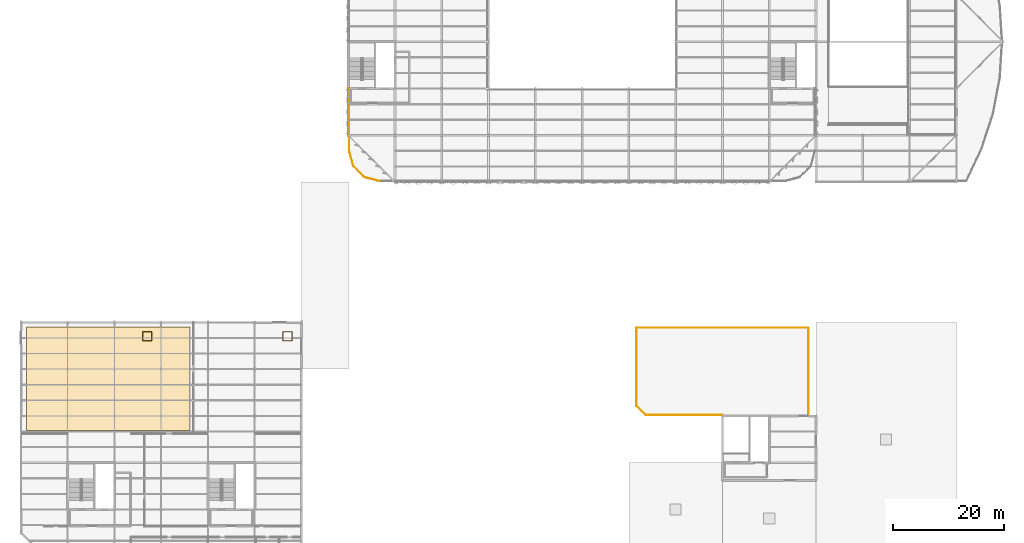
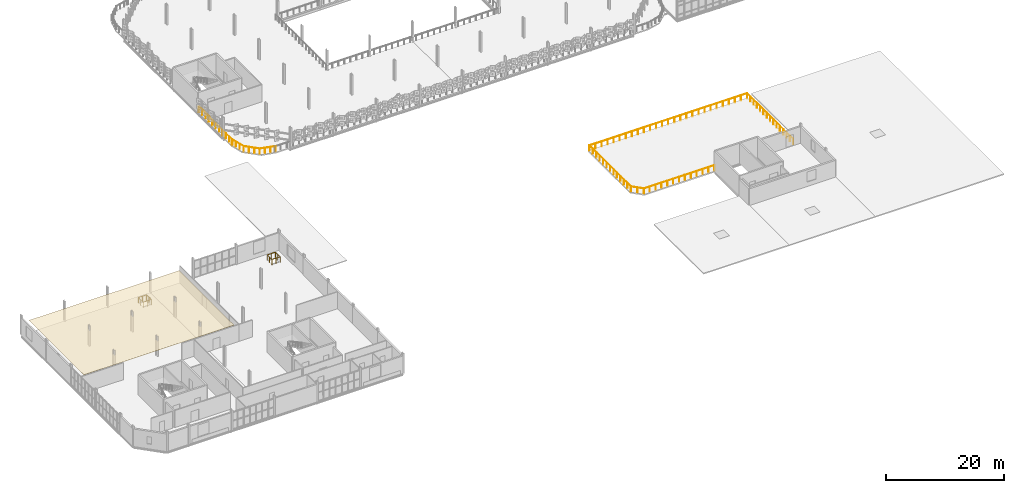
# One storey, part 64 of 69: 5 railings, 1 covering.
"""IFC4 building model written with IfcOpenShell, lengths in metres."""

import ifcopenshell
import ifcopenshell.guid

model = None  # the IFC model being written
_history = None  # IfcOwnerHistory: only IFC2X3 demands one
_inside = {}  # id of a spatial element -> (the spatial element, [elements in it])
_under = {}  # id of a project, library or spatial element -> (it, [spatial elements below it])
_declared = {}  # id of a project -> (the project, [libraries it declares])
_typed = {}  # id of a type object -> (the type object, [elements of that type])
_made_of = {}  # id of a material, layer set ... -> (it, [elements and type objects made of it])


def new_model(schema):
    """Start an empty IFC model of exactly this schema.

    Asked for "IFC4X3", IfcOpenShell would pick the latest addendum, in which some entities
    have other attributes; the version numbers below select the first issue.
    IFC2X3 requires an IfcOwnerHistory on every rooted entity: one is made here for all.
    """
    global model, _history
    if schema == "IFC4X3":
        model = ifcopenshell.file(schema_version=(4, 3, 0, 0))
    else:
        model = ifcopenshell.file(schema=schema)
    _inside.clear()
    _under.clear()
    _declared.clear()
    _typed.clear()
    _made_of.clear()
    _history = None
    if model.schema == "IFC2X3":
        org = make("IfcOrganization", Name="unknown")
        user = make(
            "IfcPersonAndOrganization",
            ThePerson=make("IfcPerson", FamilyName="unknown"),
            TheOrganization=org,
        )
        app = make(
            "IfcApplication",
            ApplicationDeveloper=org,
            Version="unknown",
            ApplicationFullName="unknown",
            ApplicationIdentifier="unknown",
        )
        _history = make(
            "IfcOwnerHistory",
            OwningUser=user,
            OwningApplication=app,
            ChangeAction="ADDED",
            CreationDate=0,
        )
    return model


def make(cls, **values):
    """One entity of the class cls with the attributes given. An attribute that is None is left unset."""
    return model.create_entity(
        cls, **{name: value for name, value in values.items() if value is not None}
    )


def rooted(cls, **values):
    """An entity with a GlobalId (a new one), such as an element, a storey or a relation."""
    return make(cls, GlobalId=ifcopenshell.guid.new(), OwnerHistory=_history, **values)


def si_unit(unit_type, name, prefix=None):
    """IfcSIUnit, for example si_unit("LENGTHUNIT", "METRE", prefix="MILLI")."""
    return make("IfcSIUnit", UnitType=unit_type, Prefix=prefix, Name=name)


def assignment(units):
    """IfcUnitAssignment: the units of a project."""
    return None if units is None else make("IfcUnitAssignment", Units=units)


def point(xyz):
    """IfcCartesianPoint."""
    return None if xyz is None else make("IfcCartesianPoint", Coordinates=xyz)


def direction(xyz):
    """IfcDirection."""
    return None if xyz is None else make("IfcDirection", DirectionRatios=xyz)


def frame(location, z_axis=None, x_axis=None):
    """IfcAxis2Placement3D, a coordinate frame: its origin and axes. An axis left out is left unset."""
    return make(
        "IfcAxis2Placement3D",
        Location=point(location),
        Axis=direction(z_axis),
        RefDirection=direction(x_axis),
    )


def frame_2d(location, x_axis=None):
    """IfcAxis2Placement2D, a coordinate frame in the plane: its origin and x axis."""
    return make(
        "IfcAxis2Placement2D", Location=point(location), RefDirection=direction(x_axis)
    )


def origin():
    """The frame at (0, 0, 0) with its axes left unset."""
    return frame((0.0, 0.0, 0.0))


def origin_2d():
    """The frame at (0, 0) in the plane with its x axis left unset."""
    return frame_2d((0.0, 0.0))


def place(relative_to, where):
    """IfcLocalPlacement: puts the frame where relative to a parent placement (None: the world)."""
    return make(
        "IfcLocalPlacement", PlacementRelTo=relative_to, RelativePlacement=where
    )


def context(
    kind, dimensions, precision=None, world=None, true_north=None, identifier=None
):
    """IfcGeometricRepresentationContext, for example the 3D "Model" context."""
    return make(
        "IfcGeometricRepresentationContext",
        ContextIdentifier=identifier,
        ContextType=kind,
        CoordinateSpaceDimension=dimensions,
        Precision=precision,
        WorldCoordinateSystem=world,
        TrueNorth=true_north,
    )


def subcontext(parent, identifier, kind, view, scale=None):
    """IfcGeometricRepresentationSubContext, for example "Body" below "Model"."""
    return make(
        "IfcGeometricRepresentationSubContext",
        ContextIdentifier=identifier,
        ContextType=kind,
        ParentContext=parent,
        TargetScale=scale,
        TargetView=view,
    )


def project(units=None, contexts=None):
    """IfcProject with its units and contexts."""
    return rooted(
        "IfcProject",
        Name="project",
        RepresentationContexts=contexts,
        UnitsInContext=assignment(units),
    )


def spatial(cls, under=None, at=None, **own):
    """A site, building, storey or space (cls), placed at a placement, below another one or the project."""
    s = rooted(cls, ObjectPlacement=at, **own)
    if under is not None:
        _under.setdefault(under.id(), (under, []))[1].append(s)
    return s


def polyline(points):
    """IfcPolyline through the points."""
    return make("IfcPolyline", Points=[point(p) for p in points])


def profile(cls, at=None, kind="AREA", **sizes):
    """A parametric profile (cls). Its sizes go by their IFC names, for example OverallWidth=200.0."""
    return make(cls, ProfileType=kind, Position=at, **sizes)


def circle(**sizes):
    """IfcCircleProfileDef."""
    return profile("IfcCircleProfileDef", **sizes)


def outline(outer, holes=None, kind="AREA"):
    """IfcArbitraryClosedProfileDef: a profile drawn as a closed curve; with holes, ...WithVoids."""
    if holes is None:
        return make("IfcArbitraryClosedProfileDef", ProfileType=kind, OuterCurve=outer)
    return make(
        "IfcArbitraryProfileDefWithVoids",
        ProfileType=kind,
        OuterCurve=outer,
        InnerCurves=holes,
    )


def extrude(swept, where, along, depth):
    """IfcExtrudedAreaSolid: the profile swept, set in the frame where, extruded along a direction by depth."""
    return make(
        "IfcExtrudedAreaSolid",
        SweptArea=swept,
        Position=where,
        ExtrudedDirection=direction(along),
        Depth=depth,
    )


def shape(context_of_items, identifier, shape_type, items):
    """IfcShapeRepresentation: the items that make up one representation, for example the "Body"."""
    return make(
        "IfcShapeRepresentation",
        ContextOfItems=context_of_items,
        RepresentationIdentifier=identifier,
        RepresentationType=shape_type,
        Items=items,
    )


def material(Name=None, Category=None):
    """IfcMaterial."""
    return make("IfcMaterial", Name=Name, Category=Category)


def layer(
    of_material, thickness, ventilated=None, Name=None, Category=None, Priority=None
):
    """IfcMaterialLayer: one layer of a wall or slab, of a material (None: an air gap)."""
    return make(
        "IfcMaterialLayer",
        Material=of_material,
        LayerThickness=thickness,
        IsVentilated=ventilated,
        Name=Name,
        Category=Category,
        Priority=Priority,
    )


def layer_set(layers, Name=None):
    """IfcMaterialLayerSet."""
    return make("IfcMaterialLayerSet", MaterialLayers=layers, LayerSetName=Name)


def made_of(thing, what):
    """Note that an element or type object is made of a material, layer set ...; save() writes the relation."""
    if what is not None:
        _made_of.setdefault(what.id(), (what, []))[1].append(thing)
    return thing


def type_object(cls, material=None, **own):
    """A type object (cls), such as IfcWallType, which elements share."""
    return made_of(rooted(cls, **own), material)


def element(
    cls,
    number,
    at=None,
    inside=None,
    cuts=None,
    type_object=None,
    material=None,
    context=None,
    identifier="Body",
    shape_type=None,
    held_by="IfcProductDefinitionShape",
    body=None,
    shapes=None,
    **own,
):
    """One element of the class cls, such as IfcWall. Its Tag is "e" and its number.

    at: its placement. inside: the storey or other place that contains it. cuts: it is an
    opening in that element (IfcRelVoidsElement). A single representation is given by context,
    identifier, shape_type and body (its items); several are given by shapes. held_by: the class
    of the entity that holds the representations. save() writes the other relations.
    """
    e = rooted(cls, Tag="e%d" % number, ObjectPlacement=at, **own)
    if body is not None:
        shapes = [shape(context, identifier, shape_type, body)]
    if shapes is not None:
        e.Representation = make(held_by, Representations=shapes)
    if inside is not None:
        _inside.setdefault(inside.id(), (inside, []))[1].append(e)
    if cuts is not None:
        rooted(
            "IfcRelVoidsElement", RelatingBuildingElement=cuts, RelatedOpeningElement=e
        )
    if type_object is not None:
        _typed.setdefault(type_object.id(), (type_object, []))[1].append(e)
    return made_of(e, material)


def aggregate(whole, parts):
    """IfcRelAggregates: a whole, such as a stair, and the parts it consists of."""
    return rooted("IfcRelAggregates", RelatingObject=whole, RelatedObjects=parts)


def save(model, path):
    """Write the relations noted so far, then the file.

    IfcRelAggregates (storeys below a building ...), IfcRelContainedInSpatialStructure (elements
    in a storey), IfcRelDefinesByType, IfcRelAssociatesMaterial and IfcRelDeclares: one each for
    every whole, place, type object, material and project.
    """
    for whole, parts in _under.values():
        aggregate(whole, parts)
    for where, things in _inside.values():
        rooted(
            "IfcRelContainedInSpatialStructure",
            RelatedElements=things,
            RelatingStructure=where,
        )
    for kind, things in _typed.values():
        rooted("IfcRelDefinesByType", RelatedObjects=things, RelatingType=kind)
    for what, things in _made_of.values():
        rooted("IfcRelAssociatesMaterial", RelatedObjects=things, RelatingMaterial=what)
    for by, libraries in _declared.values():
        rooted("IfcRelDeclares", RelatingContext=by, RelatedDefinitions=libraries)
    model.write(path)


model = new_model("IFC4")

# Units and contexts
model_context = context("Model", 3, precision=1e-05, world=origin(), true_north=direction((0.0, 1.0)))
body_context = subcontext(model_context, "Body", "Model", "MODEL_VIEW")
ifc_project = project(units=[si_unit("LENGTHUNIT", "METRE"), si_unit("AREAUNIT", "SQUARE_METRE"), si_unit("VOLUMEUNIT", "CUBIC_METRE"), si_unit("PLANEANGLEUNIT", "RADIAN"), si_unit("MASSUNIT", "GRAM", prefix="KILO")], contexts=[model_context])

# Site, building, storey
site_placement = place(None, origin())
site = spatial("IfcSite", under=ifc_project, at=site_placement, CompositionType="ELEMENT")
building_placement = place(site_placement, origin())
building = spatial("IfcBuilding", under=site, at=building_placement, Name="Qalvenar Corner Mobility Hub", CompositionType="ELEMENT")
storey_placement = place(building_placement, frame((0.0, 0.0, 13.199951171875)))
storey = spatial("IfcBuildingStorey", under=building, at=storey_placement, Name="L03", CompositionType="ELEMENT", Elevation=13.199951171875)

# Covering
ifc_material_1 = material(Name="Perforated Acoustic Mineral Ceiling Board", Category="concrete")
ifc_layer = layer(ifc_material_1, 0.02490234375)
ifc_layer_set = layer_set([ifc_layer], Name="Perforated Acoustic Mineral Ceiling Board")
covering_type = type_object("IfcCoveringType", Name="COV-CEIL-AC", PredefinedType="CEILING", material=ifc_layer_set)
covering_placement = place(storey_placement, frame((0.0, 0.0, 3.150146484375)))
element("IfcCovering", 1, at=covering_placement, inside=storey, type_object=covering_type, Name="Traffic Control Room Acoustic Ceiling", PredefinedType="CEILING", context=body_context, shape_type="SweptSolid", body=[
    extrude(outline(polyline([(1.0, 22.60009765625), (30.39990234375, 22.60009765625), (30.39990234375, 41.199951171875), (1.0, 41.199951171875), (1.0, 22.60009765625)])), origin(), (0.0, 0.0, 1.0), 0.02490234375),
])

# Railings
ifc_material_2 = material(Name="Art Nouveau Bronze-Finished Steel Balustrade", Category="steel")
railing_type_1 = type_object("IfcRailingType", Name="RL-GUARD-110", PredefinedType="GUARDRAIL", material=ifc_material_2)
railing_1_placement = place(storey_placement, frame((126.0, 25.3798828125, 0.0)))
element("IfcRailing", 2, at=railing_1_placement, inside=storey, type_object=railing_type_1, Name="Terrace Perimeter Guardrail TER-V6-L03", PredefinedType="GUARDRAIL", context=body_context, shape_type="SweptSolid", body=[
    extrude(circle(Radius=0.02392578125, at=origin_2d()), frame((0.0, 0.0, 1.09619140625), z_axis=(-1.0, 0.0, 0.0), x_axis=(0.0, -1.0, 0.0)), (0.0, 0.0, 1.0), 13.800048828125),
    extrude(circle(Radius=0.02392578125, at=origin_2d()), frame((-13.800048828125, 0.0, 1.09619140625), z_axis=(-0.707053497077, 0.707160061281, 0.0), x_axis=(-0.707160061281, -0.707053497077, 0.0)), (0.0, 0.0, 1.0), 2.291015625),
    extrude(circle(Radius=0.02392578125, at=origin_2d()), frame((-15.419921875, 1.6201171875, 1.09619140625), z_axis=(0.0, 1.0, 0.0), x_axis=(-1.0, 0.0, 0.0)), (0.0, 0.0, 1.0), 14.02001953125),
    extrude(circle(Radius=0.02392578125, at=origin_2d()), frame((-15.419921875, 15.64013671875, 1.09619140625), z_axis=(1.0, 0.0, 0.0), x_axis=(0.0, 1.0, 0.0)), (0.0, 0.0, 1.0), 30.83984375),
    extrude(circle(Radius=0.02392578125, at=origin_2d()), frame((15.419921875, 15.64013671875, 1.09619140625), z_axis=(0.0, -1.0, 0.0), x_axis=(1.0, 0.0, 0.0)), (0.0, 0.0, 1.0), 15.64013671875),
    extrude(circle(Radius=0.02099609375, at=origin_2d()), origin(), (0.0, 0.0, 1.0), 1.072021484375),
    extrude(circle(Radius=0.02099609375, at=origin_2d()), frame((-1.14990234375, 0.0, 0.0)), (0.0, 0.0, 1.0), 1.072021484375),
    extrude(circle(Radius=0.02099609375, at=origin_2d()), frame((-2.300048828125, 0.0, 0.0)), (0.0, 0.0, 1.0), 1.072021484375),
    extrude(circle(Radius=0.02099609375, at=origin_2d()), frame((-3.449951171875, 0.0, 0.0)), (0.0, 0.0, 1.0), 1.072021484375),
    extrude(circle(Radius=0.02099609375, at=origin_2d()), frame((-4.60009765625, 0.0, 0.0)), (0.0, 0.0, 1.0), 1.072021484375),
    extrude(circle(Radius=0.02099609375, at=origin_2d()), frame((-5.75, 0.0, 0.0)), (0.0, 0.0, 1.0), 1.072021484375),
    extrude(circle(Radius=0.02099609375, at=origin_2d()), frame((-6.89990234375, 0.0, 0.0)), (0.0, 0.0, 1.0), 1.072021484375),
    extrude(circle(Radius=0.02099609375, at=origin_2d()), frame((-8.050048828125, 0.0, 0.0)), (0.0, 0.0, 1.0), 1.072021484375),
    extrude(circle(Radius=0.02099609375, at=origin_2d()), frame((-9.199951171875, 0.0, 0.0)), (0.0, 0.0, 1.0), 1.072021484375),
    extrude(circle(Radius=0.02099609375, at=origin_2d()), frame((-10.35009765625, 0.0, 0.0)), (0.0, 0.0, 1.0), 1.072021484375),
    extrude(circle(Radius=0.02099609375, at=origin_2d()), frame((-11.5, 0.0, 0.0)), (0.0, 0.0, 1.0), 1.072021484375),
    extrude(circle(Radius=0.02099609375, at=origin_2d()), frame((-12.650146484375, 0.0, 0.0)), (0.0, 0.0, 1.0), 1.072021484375),
    extrude(circle(Radius=0.02099609375, at=origin_2d()), frame((-13.800048828125, 0.0, 0.0)), (0.0, 0.0, 1.0), 1.072021484375),
    extrude(circle(Radius=0.02099609375, at=origin_2d()), frame((-14.60986328125, 0.81005859375, 0.0)), (0.0, 0.0, 1.0), 1.072021484375),
    extrude(circle(Radius=0.02099609375, at=origin_2d()), frame((-15.419921875, 1.6201171875, 0.0)), (0.0, 0.0, 1.0), 1.072021484375),
    extrude(circle(Radius=0.02099609375, at=origin_2d()), frame((-15.419921875, 2.78857421875, 0.0)), (0.0, 0.0, 1.0), 1.072021484375),
    extrude(circle(Radius=0.02099609375, at=origin_2d()), frame((-15.419921875, 3.956787109375, 0.0)), (0.0, 0.0, 1.0), 1.072021484375),
    extrude(circle(Radius=0.02099609375, at=origin_2d()), frame((-15.419921875, 5.125, 0.0)), (0.0, 0.0, 1.0), 1.072021484375),
    extrude(circle(Radius=0.02099609375, at=origin_2d()), frame((-15.419921875, 6.29345703125, 0.0)), (0.0, 0.0, 1.0), 1.072021484375),
    extrude(circle(Radius=0.02099609375, at=origin_2d()), frame((-15.419921875, 7.4619140625, 0.0)), (0.0, 0.0, 1.0), 1.072021484375),
    extrude(circle(Radius=0.02099609375, at=origin_2d()), frame((-15.419921875, 8.630126953125, 0.0)), (0.0, 0.0, 1.0), 1.072021484375),
    extrude(circle(Radius=0.02099609375, at=origin_2d()), frame((-15.419921875, 9.79833984375, 0.0)), (0.0, 0.0, 1.0), 1.072021484375),
    extrude(circle(Radius=0.02099609375, at=origin_2d()), frame((-15.419921875, 10.966796875, 0.0)), (0.0, 0.0, 1.0), 1.072021484375),
    extrude(circle(Radius=0.02099609375, at=origin_2d()), frame((-15.419921875, 12.13525390625, 0.0)), (0.0, 0.0, 1.0), 1.072021484375),
    extrude(circle(Radius=0.02099609375, at=origin_2d()), frame((-15.419921875, 13.303466796875, 0.0)), (0.0, 0.0, 1.0), 1.072021484375),
    extrude(circle(Radius=0.02099609375, at=origin_2d()), frame((-15.419921875, 14.4716796875, 0.0)), (0.0, 0.0, 1.0), 1.072021484375),
    extrude(circle(Radius=0.02099609375, at=origin_2d()), frame((-15.419921875, 15.64013671875, 0.0)), (0.0, 0.0, 1.0), 1.072021484375),
    extrude(circle(Radius=0.02099609375, at=origin_2d()), frame((-14.23388671875, 15.64013671875, 0.0)), (0.0, 0.0, 1.0), 1.072021484375),
    extrude(circle(Radius=0.02099609375, at=origin_2d()), frame((-13.047607421875, 15.64013671875, 0.0)), (0.0, 0.0, 1.0), 1.072021484375),
    extrude(circle(Radius=0.02099609375, at=origin_2d()), frame((-11.861572265625, 15.64013671875, 0.0)), (0.0, 0.0, 1.0), 1.072021484375),
    extrude(circle(Radius=0.02099609375, at=origin_2d()), frame((-10.67529296875, 15.64013671875, 0.0)), (0.0, 0.0, 1.0), 1.072021484375),
    extrude(circle(Radius=0.02099609375, at=origin_2d()), frame((-9.4892578125, 15.64013671875, 0.0)), (0.0, 0.0, 1.0), 1.072021484375),
    extrude(circle(Radius=0.02099609375, at=origin_2d()), frame((-8.302978515625, 15.64013671875, 0.0)), (0.0, 0.0, 1.0), 1.072021484375),
    extrude(circle(Radius=0.02099609375, at=origin_2d()), frame((-7.116943359375, 15.64013671875, 0.0)), (0.0, 0.0, 1.0), 1.072021484375),
    extrude(circle(Radius=0.02099609375, at=origin_2d()), frame((-5.9306640625, 15.64013671875, 0.0)), (0.0, 0.0, 1.0), 1.072021484375),
    extrude(circle(Radius=0.02099609375, at=origin_2d()), frame((-4.74462890625, 15.64013671875, 0.0)), (0.0, 0.0, 1.0), 1.072021484375),
    extrude(circle(Radius=0.02099609375, at=origin_2d()), frame((-3.558349609375, 15.64013671875, 0.0)), (0.0, 0.0, 1.0), 1.072021484375),
    extrude(circle(Radius=0.02099609375, at=origin_2d()), frame((-2.372314453125, 15.64013671875, 0.0)), (0.0, 0.0, 1.0), 1.072021484375),
    extrude(circle(Radius=0.02099609375, at=origin_2d()), frame((-1.18603515625, 15.64013671875, 0.0)), (0.0, 0.0, 1.0), 1.072021484375),
    extrude(circle(Radius=0.02099609375, at=origin_2d()), frame((0.0, 15.64013671875, 0.0)), (0.0, 0.0, 1.0), 1.072021484375),
    extrude(circle(Radius=0.02099609375, at=origin_2d()), frame((1.18603515625, 15.64013671875, 0.0)), (0.0, 0.0, 1.0), 1.072021484375),
    extrude(circle(Radius=0.02099609375, at=origin_2d()), frame((2.372314453125, 15.64013671875, 0.0)), (0.0, 0.0, 1.0), 1.072021484375),
    extrude(circle(Radius=0.02099609375, at=origin_2d()), frame((3.558349609375, 15.64013671875, 0.0)), (0.0, 0.0, 1.0), 1.072021484375),
    extrude(circle(Radius=0.02099609375, at=origin_2d()), frame((4.74462890625, 15.64013671875, 0.0)), (0.0, 0.0, 1.0), 1.072021484375),
    extrude(circle(Radius=0.02099609375, at=origin_2d()), frame((5.9306640625, 15.64013671875, 0.0)), (0.0, 0.0, 1.0), 1.072021484375),
    extrude(circle(Radius=0.02099609375, at=origin_2d()), frame((7.116943359375, 15.64013671875, 0.0)), (0.0, 0.0, 1.0), 1.072021484375),
    extrude(circle(Radius=0.02099609375, at=origin_2d()), frame((8.302978515625, 15.64013671875, 0.0)), (0.0, 0.0, 1.0), 1.072021484375),
    extrude(circle(Radius=0.02099609375, at=origin_2d()), frame((9.4892578125, 15.64013671875, 0.0)), (0.0, 0.0, 1.0), 1.072021484375),
    extrude(circle(Radius=0.02099609375, at=origin_2d()), frame((10.67529296875, 15.64013671875, 0.0)), (0.0, 0.0, 1.0), 1.072021484375),
    extrude(circle(Radius=0.02099609375, at=origin_2d()), frame((11.861572265625, 15.64013671875, 0.0)), (0.0, 0.0, 1.0), 1.072021484375),
    extrude(circle(Radius=0.02099609375, at=origin_2d()), frame((13.047607421875, 15.64013671875, 0.0)), (0.0, 0.0, 1.0), 1.072021484375),
    extrude(circle(Radius=0.02099609375, at=origin_2d()), frame((14.23388671875, 15.64013671875, 0.0)), (0.0, 0.0, 1.0), 1.072021484375),
    extrude(circle(Radius=0.02099609375, at=origin_2d()), frame((15.419921875, 15.64013671875, 0.0)), (0.0, 0.0, 1.0), 1.072021484375),
    extrude(circle(Radius=0.02099609375, at=origin_2d()), frame((15.419921875, 14.52294921875, 0.0)), (0.0, 0.0, 1.0), 1.072021484375),
    extrude(circle(Radius=0.02099609375, at=origin_2d()), frame((15.419921875, 13.40576171875, 0.0)), (0.0, 0.0, 1.0), 1.072021484375),
    extrude(circle(Radius=0.02099609375, at=origin_2d()), frame((15.419921875, 12.28857421875, 0.0)), (0.0, 0.0, 1.0), 1.072021484375),
    extrude(circle(Radius=0.02099609375, at=origin_2d()), frame((15.419921875, 11.171630859375, 0.0)), (0.0, 0.0, 1.0), 1.072021484375),
    extrude(circle(Radius=0.02099609375, at=origin_2d()), frame((15.419921875, 10.054443359375, 0.0)), (0.0, 0.0, 1.0), 1.072021484375),
    extrude(circle(Radius=0.02099609375, at=origin_2d()), frame((15.419921875, 8.937255859375, 0.0)), (0.0, 0.0, 1.0), 1.072021484375),
    extrude(circle(Radius=0.02099609375, at=origin_2d()), frame((15.419921875, 7.820068359375, 0.0)), (0.0, 0.0, 1.0), 1.072021484375),
    extrude(circle(Radius=0.02099609375, at=origin_2d()), frame((15.419921875, 6.702880859375, 0.0)), (0.0, 0.0, 1.0), 1.072021484375),
    extrude(circle(Radius=0.02099609375, at=origin_2d()), frame((15.419921875, 5.585693359375, 0.0)), (0.0, 0.0, 1.0), 1.072021484375),
    extrude(circle(Radius=0.02099609375, at=origin_2d()), frame((15.419921875, 4.468505859375, 0.0)), (0.0, 0.0, 1.0), 1.072021484375),
    extrude(circle(Radius=0.02099609375, at=origin_2d()), frame((15.419921875, 3.3515625, 0.0)), (0.0, 0.0, 1.0), 1.072021484375),
    extrude(circle(Radius=0.02099609375, at=origin_2d()), frame((15.419921875, 2.234375, 0.0)), (0.0, 0.0, 1.0), 1.072021484375),
    extrude(circle(Radius=0.02099609375, at=origin_2d()), frame((15.419921875, 1.1171875, 0.0)), (0.0, 0.0, 1.0), 1.072021484375),
    extrude(circle(Radius=0.02099609375, at=origin_2d()), frame((15.419921875, 0.0, 0.0)), (0.0, 0.0, 1.0), 1.072021484375),
])
ifc_material_3 = material(Name="Galvanised Steel Deck Edge Barrier", Category="steel")
railing_type_2 = type_object("IfcRailingType", Name="RL-GUARD-115", PredefinedType="GUARDRAIL", material=ifc_material_3)
railing_2_placement = place(storey_placement, frame((21.89990234375, 38.699951171875, 0.0)))
element("IfcRailing", 3, at=railing_2_placement, inside=storey, type_object=railing_type_2, Name="Riser Opening Guard V3-A-L03", PredefinedType="GUARDRAIL", context=body_context, shape_type="SweptSolid", body=[
    extrude(circle(Radius=0.02392578125, at=origin_2d()), frame((0.0, 0.0, 1.1259765625), z_axis=(1.0, 0.0, 0.0), x_axis=(0.0, 1.0, 0.0)), (0.0, 0.0, 1.0), 1.60009765625),
    extrude(circle(Radius=0.02392578125, at=origin_2d()), frame((1.60009765625, 0.0, 1.1259765625), z_axis=(0.0, 1.0, 0.0), x_axis=(-1.0, 0.0, 0.0)), (0.0, 0.0, 1.0), 1.60009765625),
    extrude(circle(Radius=0.02392578125, at=origin_2d()), frame((1.60009765625, 1.60009765625, 1.1259765625), z_axis=(-1.0, 0.0, 0.0), x_axis=(0.0, -1.0, 0.0)), (0.0, 0.0, 1.0), 1.60009765625),
    extrude(circle(Radius=0.02392578125, at=origin_2d()), frame((0.0, 1.60009765625, 1.1259765625), z_axis=(0.0, -1.0, 0.0), x_axis=(1.0, 0.0, 0.0)), (0.0, 0.0, 1.0), 1.60009765625),
    extrude(circle(Radius=0.02099609375, at=origin_2d()), origin(), (0.0, 0.0, 1.0), 1.101806640625),
    extrude(circle(Radius=0.02099609375, at=origin_2d()), frame((0.800048828125, 0.0, 0.0)), (0.0, 0.0, 1.0), 1.101806640625),
    extrude(circle(Radius=0.02099609375, at=origin_2d()), frame((1.60009765625, 0.0, 0.0)), (0.0, 0.0, 1.0), 1.101806640625),
    extrude(circle(Radius=0.02099609375, at=origin_2d()), frame((1.60009765625, 0.800048828125, 0.0)), (0.0, 0.0, 1.0), 1.101806640625),
    extrude(circle(Radius=0.02099609375, at=origin_2d()), frame((1.60009765625, 1.60009765625, 0.0)), (0.0, 0.0, 1.0), 1.101806640625),
    extrude(circle(Radius=0.02099609375, at=origin_2d()), frame((0.800048828125, 1.60009765625, 0.0)), (0.0, 0.0, 1.0), 1.101806640625),
    extrude(circle(Radius=0.02099609375, at=origin_2d()), frame((0.0, 1.60009765625, 0.0)), (0.0, 0.0, 1.0), 1.101806640625),
    extrude(circle(Radius=0.02099609375, at=origin_2d()), frame((0.0, 0.800048828125, 0.0)), (0.0, 0.0, 1.0), 1.101806640625),
])
railing_3_placement = place(storey_placement, frame((47.10009765625, 38.699951171875, 0.0)))
element("IfcRailing", 4, at=railing_3_placement, inside=storey, type_object=railing_type_2, Name="Riser Opening Guard V3-B-L03", PredefinedType="GUARDRAIL", context=body_context, shape_type="SweptSolid", body=[
    extrude(circle(Radius=0.02392578125, at=origin_2d()), frame((0.0, 0.0, 1.1259765625), z_axis=(1.0, 0.0, 0.0), x_axis=(0.0, 1.0, 0.0)), (0.0, 0.0, 1.0), 1.599853515625),
    extrude(circle(Radius=0.02392578125, at=origin_2d()), frame((1.599853515625, 0.0, 1.1259765625), z_axis=(0.0, 1.0, 0.0), x_axis=(-1.0, 0.0, 0.0)), (0.0, 0.0, 1.0), 1.60009765625),
    extrude(circle(Radius=0.02392578125, at=origin_2d()), frame((1.599853515625, 1.60009765625, 1.1259765625), z_axis=(-1.0, 0.0, 0.0), x_axis=(0.0, -1.0, 0.0)), (0.0, 0.0, 1.0), 1.599853515625),
    extrude(circle(Radius=0.02392578125, at=origin_2d()), frame((0.0, 1.60009765625, 1.1259765625), z_axis=(0.0, -1.0, 0.0), x_axis=(1.0, 0.0, 0.0)), (0.0, 0.0, 1.0), 1.60009765625),
    extrude(circle(Radius=0.02099609375, at=origin_2d()), origin(), (0.0, 0.0, 1.0), 1.101806640625),
    extrude(circle(Radius=0.02099609375, at=origin_2d()), frame((0.7998046875, 0.0, 0.0)), (0.0, 0.0, 1.0), 1.101806640625),
    extrude(circle(Radius=0.02099609375, at=origin_2d()), frame((1.599853515625, 0.0, 0.0)), (0.0, 0.0, 1.0), 1.101806640625),
    extrude(circle(Radius=0.02099609375, at=origin_2d()), frame((1.599853515625, 0.800048828125, 0.0)), (0.0, 0.0, 1.0), 1.101806640625),
    extrude(circle(Radius=0.02099609375, at=origin_2d()), frame((1.599853515625, 1.60009765625, 0.0)), (0.0, 0.0, 1.0), 1.101806640625),
    extrude(circle(Radius=0.02099609375, at=origin_2d()), frame((0.7998046875, 1.60009765625, 0.0)), (0.0, 0.0, 1.0), 1.101806640625),
    extrude(circle(Radius=0.02099609375, at=origin_2d()), frame((0.0, 1.60009765625, 0.0)), (0.0, 0.0, 1.0), 1.101806640625),
    extrude(circle(Radius=0.02099609375, at=origin_2d()), frame((0.0, 0.800048828125, 0.0)), (0.0, 0.0, 1.0), 1.101806640625),
])
railing_4_placement = place(storey_placement, frame((58.97998046875, 84.0, 0.0)))
element("IfcRailing", 5, at=railing_4_placement, inside=storey, type_object=railing_type_2, Name="Parking Deck West-South Barrier L03", PredefinedType="GUARDRAIL", context=body_context, shape_type="SweptSolid", body=[
    extrude(circle(Radius=0.02392578125, at=origin_2d()), frame((0.0, 0.0, 1.1259765625), z_axis=(0.0, -1.0, 0.0), x_axis=(1.0, 0.0, 0.0)), (0.0, 0.0, 1.0), 11.39990234375),
    extrude(circle(Radius=0.02099609375, at=origin_2d()), origin(), (0.0, 0.0, 1.0), 1.101806640625),
    extrude(circle(Radius=0.02099609375, at=origin_2d()), frame((0.0, -1.139892578125, 0.0)), (0.0, 0.0, 1.0), 1.101806640625),
    extrude(circle(Radius=0.02099609375, at=origin_2d()), frame((0.0, -2.280029296875, 0.0)), (0.0, 0.0, 1.0), 1.101806640625),
    extrude(circle(Radius=0.02099609375, at=origin_2d()), frame((0.0, -3.419921875, 0.0)), (0.0, 0.0, 1.0), 1.101806640625),
    extrude(circle(Radius=0.02099609375, at=origin_2d()), frame((0.0, -4.56005859375, 0.0)), (0.0, 0.0, 1.0), 1.101806640625),
    extrude(circle(Radius=0.02099609375, at=origin_2d()), frame((0.0, -5.699951171875, 0.0)), (0.0, 0.0, 1.0), 1.101806640625),
    extrude(circle(Radius=0.02099609375, at=origin_2d()), frame((0.0, -6.83984375, 0.0)), (0.0, 0.0, 1.0), 1.101806640625),
    extrude(circle(Radius=0.02099609375, at=origin_2d()), frame((0.0, -7.97998046875, 0.0)), (0.0, 0.0, 1.0), 1.101806640625),
    extrude(circle(Radius=0.02099609375, at=origin_2d()), frame((0.0, -9.119873046875, 0.0)), (0.0, 0.0, 1.0), 1.101806640625),
    extrude(circle(Radius=0.02099609375, at=origin_2d()), frame((0.0, -10.260009765625, 0.0)), (0.0, 0.0, 1.0), 1.101806640625),
    extrude(circle(Radius=0.02099609375, at=origin_2d()), frame((0.0, -11.39990234375, 0.0)), (0.0, 0.0, 1.0), 1.101806640625),
])
railing_5_placement = place(storey_placement, frame((58.97998046875, 72.800048828125, 0.0)))
element("IfcRailing", 6, at=railing_5_placement, inside=storey, type_object=railing_type_2, Name="Rounded Corner Barrier L03-SW", PredefinedType="GUARDRAIL", context=body_context, shape_type="SweptSolid", body=[
    extrude(circle(Radius=0.02392578125, at=origin_2d()), frame((0.0, 0.0, 1.1259765625), z_axis=(0.258799880931, -0.965930961109, 0.0), x_axis=(0.965930961109, 0.258799880931, 0.0)), (0.0, 0.0, 1.0), 2.8056640625),
    extrude(circle(Radius=0.02392578125, at=origin_2d()), frame((0.72607421875, -2.7099609375, 1.1259765625), z_axis=(0.707106781187, -0.707106781187, 0.0), x_axis=(0.707106781187, 0.707106781187, 0.0)), (0.0, 0.0, 1.0), 2.8056640625),
    extrude(circle(Radius=0.02392578125, at=origin_2d()), frame((2.7099609375, -4.69384765625, 1.1259765625), z_axis=(0.965909204481, -0.25888107057, 0.0), x_axis=(0.25888107057, 0.965909204481, 0.0)), (0.0, 0.0, 1.0), 2.8056640625),
    extrude(circle(Radius=0.02099609375, at=origin_2d()), origin(), (0.0, 0.0, 1.0), 1.101806640625),
    extrude(circle(Radius=0.02099609375, at=origin_2d()), frame((0.241943359375, -0.9033203125, 0.0)), (0.0, 0.0, 1.0), 1.101806640625),
    extrude(circle(Radius=0.02099609375, at=origin_2d()), frame((0.484130859375, -1.806640625, 0.0)), (0.0, 0.0, 1.0), 1.101806640625),
    extrude(circle(Radius=0.02099609375, at=origin_2d()), frame((0.72607421875, -2.7099609375, 0.0)), (0.0, 0.0, 1.0), 1.101806640625),
    extrude(circle(Radius=0.02099609375, at=origin_2d()), frame((1.387451171875, -3.371337890625, 0.0)), (0.0, 0.0, 1.0), 1.101806640625),
    extrude(circle(Radius=0.02099609375, at=origin_2d()), frame((2.048583984375, -4.032470703125, 0.0)), (0.0, 0.0, 1.0), 1.101806640625),
    extrude(circle(Radius=0.02099609375, at=origin_2d()), frame((2.7099609375, -4.69384765625, 0.0)), (0.0, 0.0, 1.0), 1.101806640625),
    extrude(circle(Radius=0.02099609375, at=origin_2d()), frame((3.61328125, -4.93603515625, 0.0)), (0.0, 0.0, 1.0), 1.101806640625),
    extrude(circle(Radius=0.02099609375, at=origin_2d()), frame((4.5166015625, -5.177978515625, 0.0)), (0.0, 0.0, 1.0), 1.101806640625),
    extrude(circle(Radius=0.02099609375, at=origin_2d()), frame((5.419921875, -5.420166015625, 0.0)), (0.0, 0.0, 1.0), 1.101806640625),
])

save(model, "model.ifc")
